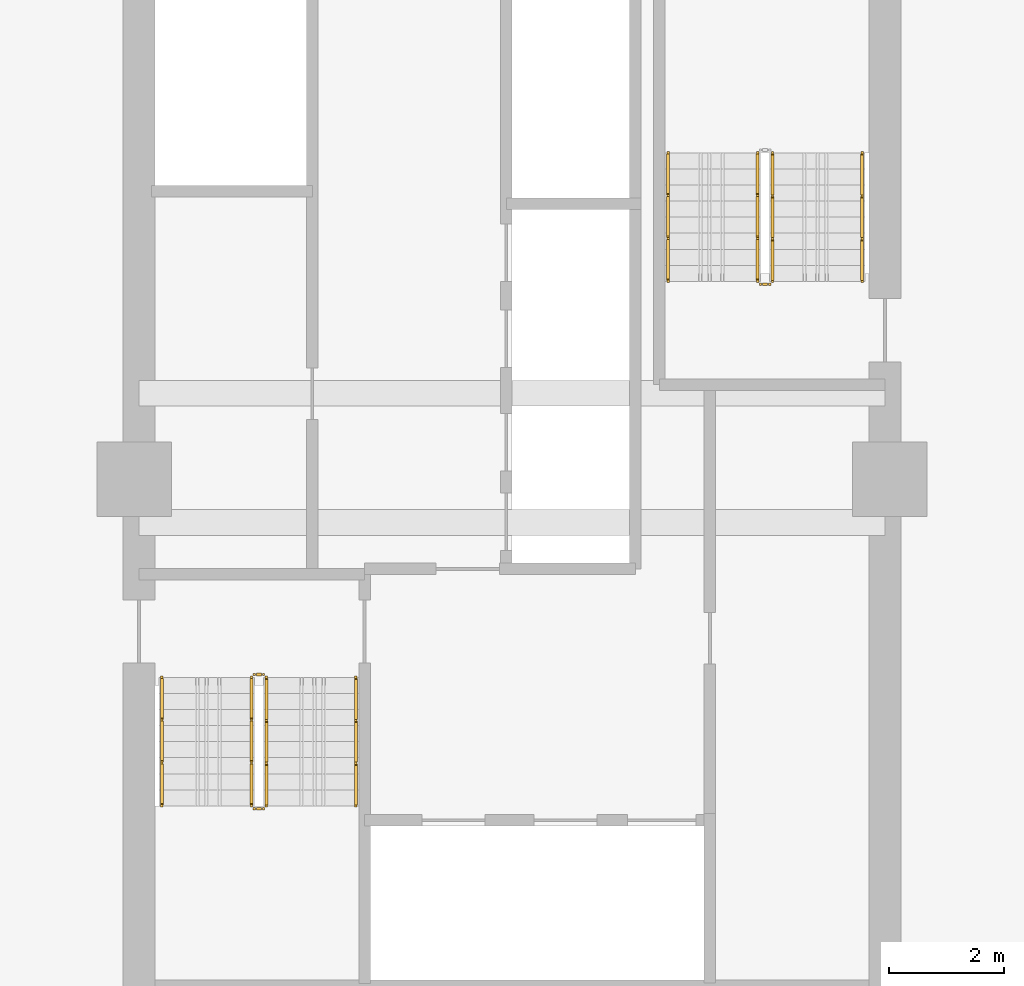
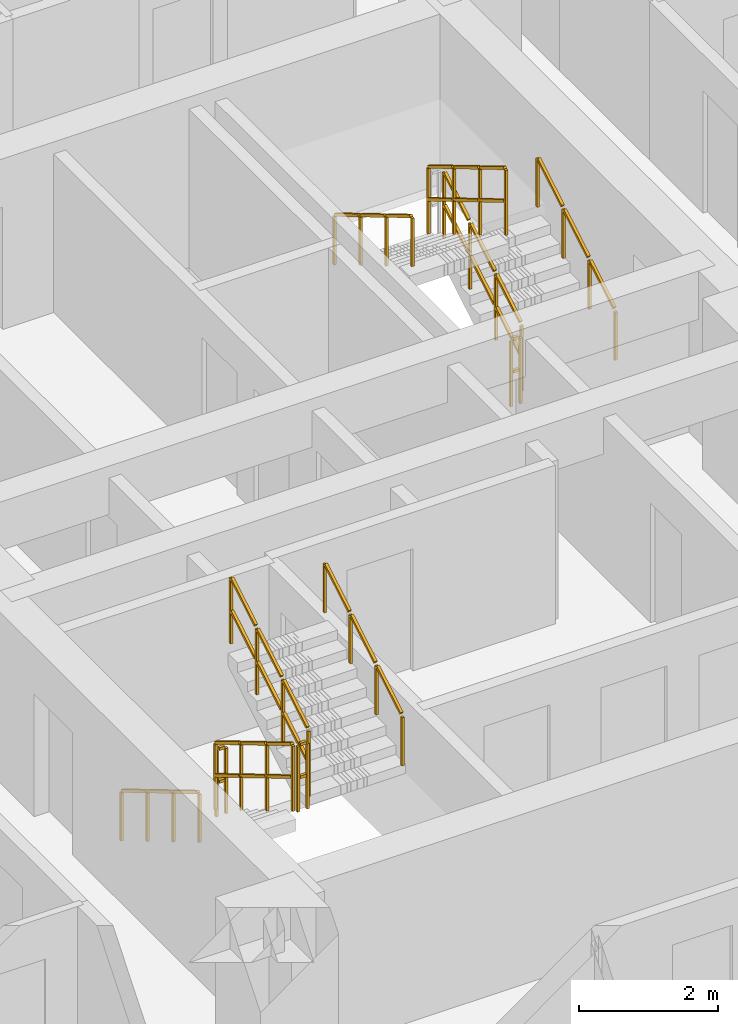
# One storey, part 12 of 14: 11 railings.
"""IFC4 building model written with IfcOpenShell, lengths in metres."""

from ifc_helpers import new_model, si_unit, direction, frame, origin, origin_2d, place, context, subcontext, project, spatial, rectangle, extrude, material, type_object, element, save


model = new_model("IFC4")

# Units and contexts
model_context = context("Model", 3, precision=1e-05, world=origin(), true_north=direction((0.0, 1.0)))
body_context = subcontext(model_context, "Body", "Model", "MODEL_VIEW")
ifc_project = project(units=[si_unit("LENGTHUNIT", "METRE"), si_unit("AREAUNIT", "SQUARE_METRE"), si_unit("VOLUMEUNIT", "CUBIC_METRE"), si_unit("PLANEANGLEUNIT", "RADIAN"), si_unit("MASSUNIT", "GRAM", prefix="KILO")], contexts=[model_context])

# Site, building, storey
site_placement = place(None, origin())
site = spatial("IfcSite", under=ifc_project, at=site_placement, CompositionType="ELEMENT")
building_placement = place(site_placement, origin())
building = spatial("IfcBuilding", under=site, at=building_placement, Name="Saelheon Loggia Tower", CompositionType="ELEMENT")
storey_placement = place(building_placement, frame((0.0, 0.0, 113.85009765625)))
storey = spatial("IfcBuildingStorey", under=building, at=storey_placement, Name="L36", CompositionType="ELEMENT", Elevation=113.85009765625)

# Railings
ifc_material_1 = material(Name="Galvanised Steel S275 Stairwell Guardrail", Category="steel")
railing_type_1 = type_object("IfcRailingType", Name="Guard_StairWell_RL_STG", PredefinedType="GUARDRAIL", material=ifc_material_1)
railing_1_placement = place(storey_placement, frame((33.4599609375, 23.550048828125, 0.16650390625)))
element("IfcRailing", 1, at=railing_1_placement, inside=storey, type_object=railing_type_1, Name="L36 ST1 stair guard 1", PredefinedType="GUARDRAIL", context=body_context, shape_type="SweptSolid", body=[
    extrude(rectangle(XDim=0.048095703125, YDim=0.048095703125, at=origin_2d()), frame((0.0, -0.028564453125, 1.19287109375), z_axis=(0.0, -0.859264461869, 0.511531606619), x_axis=(1.0, 0.0, 0.0)), (0.0, 0.0, 1.0), 0.802490234375),
    extrude(rectangle(XDim=0.048095703125, YDim=0.048095703125, at=origin_2d()), frame((0.0, -0.028564453125, 0.616943359375), z_axis=(0.0, -0.859264461869, 0.511531606619), x_axis=(1.0, 0.0, 0.0)), (0.0, 0.0, 1.0), 0.802490234375),
    extrude(rectangle(XDim=0.048095703125, YDim=0.048095703125, at=origin_2d()), frame((0.0, -0.775146484375, 1.637451171875), z_axis=(0.0, -0.859264461869, 0.511531606619), x_axis=(1.0, 0.0, 0.0)), (0.0, 0.0, 1.0), 0.802490234375),
    extrude(rectangle(XDim=0.048095703125, YDim=0.048095703125, at=origin_2d()), frame((0.0, -0.775146484375, 1.0615234375), z_axis=(0.0, -0.859264461869, 0.511531606619), x_axis=(1.0, 0.0, 0.0)), (0.0, 0.0, 1.0), 0.802490234375),
    extrude(rectangle(XDim=0.048095703125, YDim=0.048095703125, at=origin_2d()), frame((0.0, -1.52197265625, 2.081787109375), z_axis=(0.0, -0.859264461869, 0.511531606619), x_axis=(1.0, 0.0, 0.0)), (0.0, 0.0, 1.0), 0.802490234375),
    extrude(rectangle(XDim=0.048095703125, YDim=0.048095703125, at=origin_2d()), frame((0.0, -1.52197265625, 1.505859375), z_axis=(0.0, -0.859264461869, 0.511531606619), x_axis=(1.0, 0.0, 0.0)), (0.0, 0.0, 1.0), 0.802490234375),
    extrude(rectangle(XDim=0.0419921875, YDim=0.0419921875, at=origin_2d()), origin(), (0.0, 0.0, 1.0), 1.14794921875),
    extrude(rectangle(XDim=0.0419921875, YDim=0.0419921875, at=origin_2d()), frame((0.0, -0.74658203125, 0.444580078125)), (0.0, 0.0, 1.0), 1.14794921875),
    extrude(rectangle(XDim=0.0419921875, YDim=0.0419921875, at=origin_2d()), frame((0.0, -1.493408203125, 0.888916015625)), (0.0, 0.0, 1.0), 1.14794921875),
    extrude(rectangle(XDim=0.0419921875, YDim=0.0419921875, at=origin_2d()), frame((0.0, -2.239990234375, 1.33349609375)), (0.0, 0.0, 1.0), 1.14794921875),
])
railing_2_placement = place(storey_placement, frame((33.510009765625, 21.260009765625, 1.5)))
element("IfcRailing", 2, at=railing_2_placement, inside=storey, type_object=railing_type_1, Name="L36 ST1 stair guard 2", PredefinedType="GUARDRAIL", context=body_context, shape_type="SweptSolid", body=[
    extrude(rectangle(XDim=0.048095703125, YDim=0.048095703125, at=origin_2d()), frame((0.033203125, 0.0, 1.17578125), z_axis=(1.0, 0.0, 0.0), x_axis=(0.0, 1.0, 0.0)), (0.0, 0.0, 1.0), 0.093505859375),
    extrude(rectangle(XDim=0.048095703125, YDim=0.048095703125, at=origin_2d()), frame((0.033203125, 0.0, 0.60009765625), z_axis=(1.0, 0.0, 0.0), x_axis=(0.0, 1.0, 0.0)), (0.0, 0.0, 1.0), 0.093505859375),
    extrude(rectangle(XDim=0.0419921875, YDim=0.0419921875, at=origin_2d()), origin(), (0.0, 0.0, 1.0), 1.14794921875),
    extrude(rectangle(XDim=0.0419921875, YDim=0.0419921875, at=origin_2d()), frame((0.159912109375, 0.0, 0.0)), (0.0, 0.0, 1.0), 1.14794921875),
])
railing_3_placement = place(storey_placement, frame((33.719970703125, 21.31005859375, 1.66650390625)))
element("IfcRailing", 3, at=railing_3_placement, inside=storey, type_object=railing_type_1, Name="L36 ST1 stair guard 3", PredefinedType="GUARDRAIL", context=body_context, shape_type="SweptSolid", body=[
    extrude(rectangle(XDim=0.048095703125, YDim=0.048095703125, at=origin_2d()), frame((0.0, 0.028564453125, 1.19287109375), z_axis=(0.0, 0.859264461869, 0.511531606619), x_axis=(-1.0, 0.0, 0.0)), (0.0, 0.0, 1.0), 0.802490234375),
    extrude(rectangle(XDim=0.048095703125, YDim=0.048095703125, at=origin_2d()), frame((0.0, 0.028564453125, 0.616943359375), z_axis=(0.0, 0.859264461869, 0.511531606619), x_axis=(-1.0, 0.0, 0.0)), (0.0, 0.0, 1.0), 0.802490234375),
    extrude(rectangle(XDim=0.048095703125, YDim=0.048095703125, at=origin_2d()), frame((0.0, 0.775146484375, 1.637451171875), z_axis=(0.0, 0.859264461869, 0.511531606619), x_axis=(-1.0, 0.0, 0.0)), (0.0, 0.0, 1.0), 0.802490234375),
    extrude(rectangle(XDim=0.048095703125, YDim=0.048095703125, at=origin_2d()), frame((0.0, 0.775146484375, 1.0615234375), z_axis=(0.0, 0.859264461869, 0.511531606619), x_axis=(-1.0, 0.0, 0.0)), (0.0, 0.0, 1.0), 0.802490234375),
    extrude(rectangle(XDim=0.048095703125, YDim=0.048095703125, at=origin_2d()), frame((0.0, 1.52197265625, 2.081787109375), z_axis=(0.0, 0.859264461869, 0.511531606619), x_axis=(-1.0, 0.0, 0.0)), (0.0, 0.0, 1.0), 0.802490234375),
    extrude(rectangle(XDim=0.048095703125, YDim=0.048095703125, at=origin_2d()), frame((0.0, 1.52197265625, 1.505859375), z_axis=(0.0, 0.859264461869, 0.511531606619), x_axis=(-1.0, 0.0, 0.0)), (0.0, 0.0, 1.0), 0.802490234375),
    extrude(rectangle(XDim=0.0419921875, YDim=0.0419921875, at=origin_2d()), origin(), (0.0, 0.0, 1.0), 1.14794921875),
    extrude(rectangle(XDim=0.0419921875, YDim=0.0419921875, at=origin_2d()), frame((0.0, 0.74658203125, 0.444580078125)), (0.0, 0.0, 1.0), 1.14794921875),
    extrude(rectangle(XDim=0.0419921875, YDim=0.0419921875, at=origin_2d()), frame((0.0, 1.493408203125, 0.888916015625)), (0.0, 0.0, 1.0), 1.14794921875),
    extrude(rectangle(XDim=0.0419921875, YDim=0.0419921875, at=origin_2d()), frame((0.0, 2.239990234375, 1.33349609375)), (0.0, 0.0, 1.0), 1.14794921875),
])
railing_4_placement = place(storey_placement, frame((33.510009765625, 23.60009765625, 0.0)))
element("IfcRailing", 4, at=railing_4_placement, inside=storey, type_object=railing_type_1, Name="L36 ST1 stair guard 4", PredefinedType="GUARDRAIL", context=body_context, shape_type="SweptSolid", body=[
    extrude(rectangle(XDim=0.048095703125, YDim=0.048095703125, at=origin_2d()), frame((0.033203125, 0.0, 1.17578125), z_axis=(1.0, 0.0, 0.0), x_axis=(0.0, 1.0, 0.0)), (0.0, 0.0, 1.0), 0.093505859375),
    extrude(rectangle(XDim=0.048095703125, YDim=0.048095703125, at=origin_2d()), frame((0.033203125, 0.0, 0.60009765625), z_axis=(1.0, 0.0, 0.0), x_axis=(0.0, 1.0, 0.0)), (0.0, 0.0, 1.0), 0.093505859375),
    extrude(rectangle(XDim=0.0419921875, YDim=0.0419921875, at=origin_2d()), origin(), (0.0, 0.0, 1.0), 1.14794921875),
    extrude(rectangle(XDim=0.0419921875, YDim=0.0419921875, at=origin_2d()), frame((0.159912109375, 0.0, 0.0)), (0.0, 0.0, 1.0), 1.14794921875),
])
railing_5_placement = place(storey_placement, frame((42.5400390625, 30.449951171875, 0.16650390625)))
element("IfcRailing", 5, at=railing_5_placement, inside=storey, type_object=railing_type_1, Name="L36 ST2 stair guard 1", PredefinedType="GUARDRAIL", context=body_context, shape_type="SweptSolid", body=[
    extrude(rectangle(XDim=0.048095703125, YDim=0.048095703125, at=origin_2d()), frame((0.0, 0.028564453125, 1.19287109375), z_axis=(0.0, 0.859264461869, 0.511531606619), x_axis=(-1.0, 0.0, 0.0)), (0.0, 0.0, 1.0), 0.802490234375),
    extrude(rectangle(XDim=0.048095703125, YDim=0.048095703125, at=origin_2d()), frame((0.0, 0.028564453125, 0.616943359375), z_axis=(0.0, 0.859264461869, 0.511531606619), x_axis=(-1.0, 0.0, 0.0)), (0.0, 0.0, 1.0), 0.802490234375),
    extrude(rectangle(XDim=0.048095703125, YDim=0.048095703125, at=origin_2d()), frame((0.0, 0.775146484375, 1.637451171875), z_axis=(0.0, 0.859264461869, 0.511531606619), x_axis=(-1.0, 0.0, 0.0)), (0.0, 0.0, 1.0), 0.802490234375),
    extrude(rectangle(XDim=0.048095703125, YDim=0.048095703125, at=origin_2d()), frame((0.0, 0.775146484375, 1.0615234375), z_axis=(0.0, 0.859264461869, 0.511531606619), x_axis=(-1.0, 0.0, 0.0)), (0.0, 0.0, 1.0), 0.802490234375),
    extrude(rectangle(XDim=0.048095703125, YDim=0.048095703125, at=origin_2d()), frame((0.0, 1.52197265625, 2.081787109375), z_axis=(0.0, 0.859264461869, 0.511531606619), x_axis=(-1.0, 0.0, 0.0)), (0.0, 0.0, 1.0), 0.802490234375),
    extrude(rectangle(XDim=0.048095703125, YDim=0.048095703125, at=origin_2d()), frame((0.0, 1.52197265625, 1.505859375), z_axis=(0.0, 0.859264461869, 0.511531606619), x_axis=(-1.0, 0.0, 0.0)), (0.0, 0.0, 1.0), 0.802490234375),
    extrude(rectangle(XDim=0.0419921875, YDim=0.0419921875, at=origin_2d()), origin(), (0.0, 0.0, 1.0), 1.14794921875),
    extrude(rectangle(XDim=0.0419921875, YDim=0.0419921875, at=origin_2d()), frame((0.0, 0.74658203125, 0.444580078125)), (0.0, 0.0, 1.0), 1.14794921875),
    extrude(rectangle(XDim=0.0419921875, YDim=0.0419921875, at=origin_2d()), frame((0.0, 1.493408203125, 0.888916015625)), (0.0, 0.0, 1.0), 1.14794921875),
    extrude(rectangle(XDim=0.0419921875, YDim=0.0419921875, at=origin_2d()), frame((0.0, 2.239990234375, 1.33349609375)), (0.0, 0.0, 1.0), 1.14794921875),
])
railing_6_placement = place(storey_placement, frame((42.280029296875, 32.68994140625, 1.66650390625)))
element("IfcRailing", 6, at=railing_6_placement, inside=storey, type_object=railing_type_1, Name="L36 ST2 stair guard 3", PredefinedType="GUARDRAIL", context=body_context, shape_type="SweptSolid", body=[
    extrude(rectangle(XDim=0.048095703125, YDim=0.048095703125, at=origin_2d()), frame((0.0, -0.028564453125, 1.19287109375), z_axis=(0.0, -0.859264461869, 0.511531606619), x_axis=(1.0, 0.0, 0.0)), (0.0, 0.0, 1.0), 0.802490234375),
    extrude(rectangle(XDim=0.048095703125, YDim=0.048095703125, at=origin_2d()), frame((0.0, -0.028564453125, 0.616943359375), z_axis=(0.0, -0.859264461869, 0.511531606619), x_axis=(1.0, 0.0, 0.0)), (0.0, 0.0, 1.0), 0.802490234375),
    extrude(rectangle(XDim=0.048095703125, YDim=0.048095703125, at=origin_2d()), frame((0.0, -0.775146484375, 1.637451171875), z_axis=(0.0, -0.859264461869, 0.511531606619), x_axis=(1.0, 0.0, 0.0)), (0.0, 0.0, 1.0), 0.802490234375),
    extrude(rectangle(XDim=0.048095703125, YDim=0.048095703125, at=origin_2d()), frame((0.0, -0.775146484375, 1.0615234375), z_axis=(0.0, -0.859264461869, 0.511531606619), x_axis=(1.0, 0.0, 0.0)), (0.0, 0.0, 1.0), 0.802490234375),
    extrude(rectangle(XDim=0.048095703125, YDim=0.048095703125, at=origin_2d()), frame((0.0, -1.52197265625, 2.081787109375), z_axis=(0.0, -0.859264461869, 0.511531606619), x_axis=(1.0, 0.0, 0.0)), (0.0, 0.0, 1.0), 0.802490234375),
    extrude(rectangle(XDim=0.048095703125, YDim=0.048095703125, at=origin_2d()), frame((0.0, -1.52197265625, 1.505859375), z_axis=(0.0, -0.859264461869, 0.511531606619), x_axis=(1.0, 0.0, 0.0)), (0.0, 0.0, 1.0), 0.802490234375),
    extrude(rectangle(XDim=0.0419921875, YDim=0.0419921875, at=origin_2d()), origin(), (0.0, 0.0, 1.0), 1.14794921875),
    extrude(rectangle(XDim=0.0419921875, YDim=0.0419921875, at=origin_2d()), frame((0.0, -0.74658203125, 0.444580078125)), (0.0, 0.0, 1.0), 1.14794921875),
    extrude(rectangle(XDim=0.0419921875, YDim=0.0419921875, at=origin_2d()), frame((0.0, -1.493408203125, 0.888916015625)), (0.0, 0.0, 1.0), 1.14794921875),
    extrude(rectangle(XDim=0.0419921875, YDim=0.0419921875, at=origin_2d()), frame((0.0, -2.239990234375, 1.33349609375)), (0.0, 0.0, 1.0), 1.14794921875),
])
railing_7_placement = place(storey_placement, frame((42.489990234375, 30.39990234375, 0.0)))
element("IfcRailing", 7, at=railing_7_placement, inside=storey, type_object=railing_type_1, Name="L36 ST2 stair guard 4", PredefinedType="GUARDRAIL", context=body_context, shape_type="SweptSolid", body=[
    extrude(rectangle(XDim=0.048095703125, YDim=0.048095703125, at=origin_2d()), frame((-0.033203125, 0.0, 1.17578125), z_axis=(-1.0, 0.0, 0.0), x_axis=(0.0, -1.0, 0.0)), (0.0, 0.0, 1.0), 0.093505859375),
    extrude(rectangle(XDim=0.048095703125, YDim=0.048095703125, at=origin_2d()), frame((-0.033203125, 0.0, 0.60009765625), z_axis=(-1.0, 0.0, 0.0), x_axis=(0.0, -1.0, 0.0)), (0.0, 0.0, 1.0), 0.093505859375),
    extrude(rectangle(XDim=0.0419921875, YDim=0.0419921875, at=origin_2d()), origin(), (0.0, 0.0, 1.0), 1.14794921875),
    extrude(rectangle(XDim=0.0419921875, YDim=0.0419921875, at=origin_2d()), frame((-0.159912109375, 0.0, 0.0)), (0.0, 0.0, 1.0), 1.14794921875),
])
ifc_material_2 = material(Name="Stainless Steel 304 Tubular Handrail", Category="steel")
railing_type_2 = type_object("IfcRailingType", Name="Handrail_Stair_RL_HR1", PredefinedType="HANDRAIL", material=ifc_material_2)
railing_8_placement = place(storey_placement, frame((31.89990234375, 23.550048828125, 0.16650390625)))
element("IfcRailing", 8, at=railing_8_placement, inside=storey, type_object=railing_type_2, Name="L36 ST1 stair handrail 1", PredefinedType="HANDRAIL", context=body_context, shape_type="SweptSolid", body=[
    extrude(rectangle(XDim=0.048095703125, YDim=0.048095703125, at=origin_2d()), frame((0.0, -0.028564453125, 0.892822265625), z_axis=(0.0, -0.859264461869, 0.511531606619), x_axis=(1.0, 0.0, 0.0)), (0.0, 0.0, 1.0), 0.802490234375),
    extrude(rectangle(XDim=0.048095703125, YDim=0.048095703125, at=origin_2d()), frame((0.0, -0.775146484375, 1.33740234375), z_axis=(0.0, -0.859264461869, 0.511531606619), x_axis=(1.0, 0.0, 0.0)), (0.0, 0.0, 1.0), 0.802490234375),
    extrude(rectangle(XDim=0.048095703125, YDim=0.048095703125, at=origin_2d()), frame((0.0, -1.52197265625, 1.78173828125), z_axis=(0.0, -0.859264461869, 0.511531606619), x_axis=(1.0, 0.0, 0.0)), (0.0, 0.0, 1.0), 0.802490234375),
    extrude(rectangle(XDim=0.0419921875, YDim=0.0419921875, at=origin_2d()), origin(), (0.0, 0.0, 1.0), 0.847900390625),
    extrude(rectangle(XDim=0.0419921875, YDim=0.0419921875, at=origin_2d()), frame((0.0, -0.74658203125, 0.444580078125)), (0.0, 0.0, 1.0), 0.847900390625),
    extrude(rectangle(XDim=0.0419921875, YDim=0.0419921875, at=origin_2d()), frame((0.0, -1.493408203125, 0.888916015625)), (0.0, 0.0, 1.0), 0.847900390625),
    extrude(rectangle(XDim=0.0419921875, YDim=0.0419921875, at=origin_2d()), frame((0.0, -2.239990234375, 1.33349609375)), (0.0, 0.0, 1.0), 0.847900390625),
])
for number, where, name in (
    (9, (35.280029296875, 21.31005859375, 1.66650390625), "L36 ST1 stair handrail 2"),
    (10, (44.10009765625, 30.449951171875, 0.16650390625), "L36 ST2 stair handrail 1"),
):
    element("IfcRailing", number, at=place(storey_placement, frame(where)), inside=storey, type_object=railing_type_2, Name=name, PredefinedType="HANDRAIL", context=body_context, shape_type="SweptSolid", body=[
        extrude(rectangle(XDim=0.048095703125, YDim=0.048095703125, at=origin_2d()), frame((0.0, 0.028564453125, 0.892822265625), z_axis=(0.0, 0.859264461869, 0.511531606619), x_axis=(-1.0, 0.0, 0.0)), (0.0, 0.0, 1.0), 0.802490234375),
        extrude(rectangle(XDim=0.048095703125, YDim=0.048095703125, at=origin_2d()), frame((0.0, 0.775146484375, 1.33740234375), z_axis=(0.0, 0.859264461869, 0.511531606619), x_axis=(-1.0, 0.0, 0.0)), (0.0, 0.0, 1.0), 0.802490234375),
        extrude(rectangle(XDim=0.048095703125, YDim=0.048095703125, at=origin_2d()), frame((0.0, 1.52197265625, 1.78173828125), z_axis=(0.0, 0.859264461869, 0.511531606619), x_axis=(-1.0, 0.0, 0.0)), (0.0, 0.0, 1.0), 0.802490234375),
        extrude(rectangle(XDim=0.0419921875, YDim=0.0419921875, at=origin_2d()), origin(), (0.0, 0.0, 1.0), 0.847900390625),
        extrude(rectangle(XDim=0.0419921875, YDim=0.0419921875, at=origin_2d()), frame((0.0, 0.74658203125, 0.444580078125)), (0.0, 0.0, 1.0), 0.847900390625),
        extrude(rectangle(XDim=0.0419921875, YDim=0.0419921875, at=origin_2d()), frame((0.0, 1.493408203125, 0.888916015625)), (0.0, 0.0, 1.0), 0.847900390625),
        extrude(rectangle(XDim=0.0419921875, YDim=0.0419921875, at=origin_2d()), frame((0.0, 2.239990234375, 1.33349609375)), (0.0, 0.0, 1.0), 0.847900390625),
    ])
railing_9_placement = place(storey_placement, frame((40.719970703125, 32.68994140625, 1.66650390625)))
element("IfcRailing", 11, at=railing_9_placement, inside=storey, type_object=railing_type_2, Name="L36 ST2 stair handrail 2", PredefinedType="HANDRAIL", context=body_context, shape_type="SweptSolid", body=[
    extrude(rectangle(XDim=0.048095703125, YDim=0.048095703125, at=origin_2d()), frame((0.0, -0.028564453125, 0.892822265625), z_axis=(0.0, -0.859264461869, 0.511531606619), x_axis=(1.0, 0.0, 0.0)), (0.0, 0.0, 1.0), 0.802490234375),
    extrude(rectangle(XDim=0.048095703125, YDim=0.048095703125, at=origin_2d()), frame((0.0, -0.775146484375, 1.33740234375), z_axis=(0.0, -0.859264461869, 0.511531606619), x_axis=(1.0, 0.0, 0.0)), (0.0, 0.0, 1.0), 0.802490234375),
    extrude(rectangle(XDim=0.048095703125, YDim=0.048095703125, at=origin_2d()), frame((0.0, -1.52197265625, 1.78173828125), z_axis=(0.0, -0.859264461869, 0.511531606619), x_axis=(1.0, 0.0, 0.0)), (0.0, 0.0, 1.0), 0.802490234375),
    extrude(rectangle(XDim=0.0419921875, YDim=0.0419921875, at=origin_2d()), origin(), (0.0, 0.0, 1.0), 0.847900390625),
    extrude(rectangle(XDim=0.0419921875, YDim=0.0419921875, at=origin_2d()), frame((0.0, -0.74658203125, 0.444580078125)), (0.0, 0.0, 1.0), 0.847900390625),
    extrude(rectangle(XDim=0.0419921875, YDim=0.0419921875, at=origin_2d()), frame((0.0, -1.493408203125, 0.888916015625)), (0.0, 0.0, 1.0), 0.847900390625),
    extrude(rectangle(XDim=0.0419921875, YDim=0.0419921875, at=origin_2d()), frame((0.0, -2.239990234375, 1.33349609375)), (0.0, 0.0, 1.0), 0.847900390625),
])

save(model, "model.ifc")
